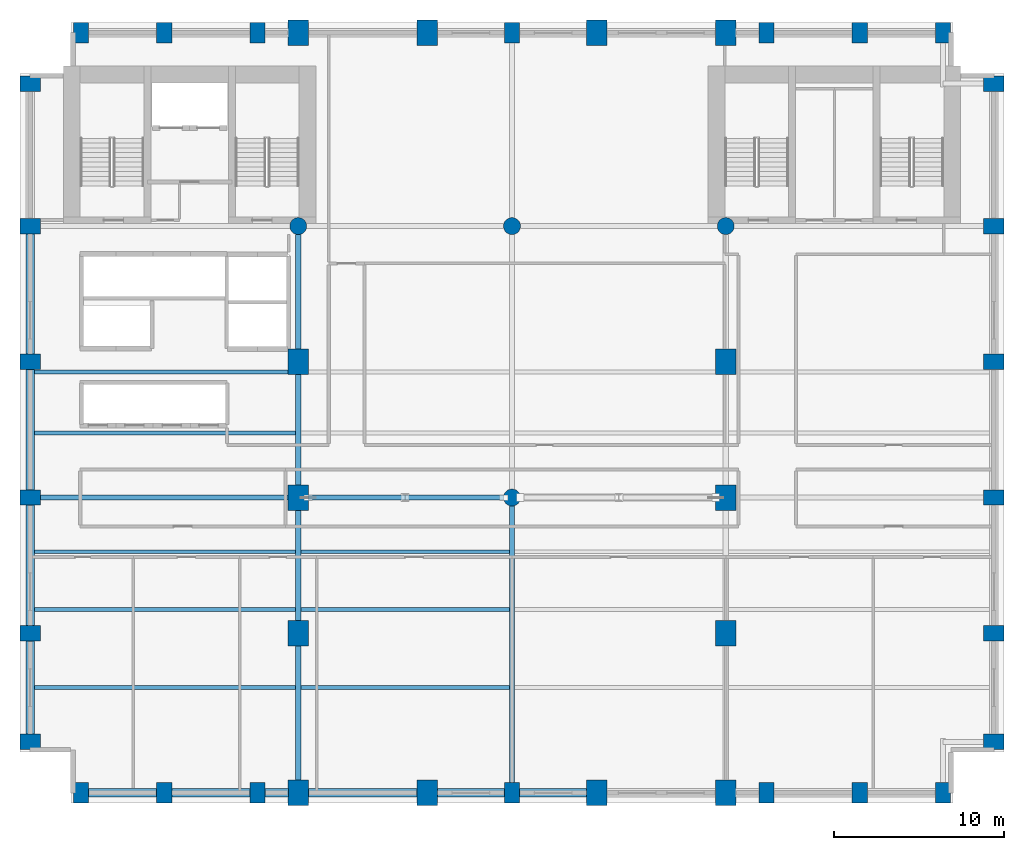
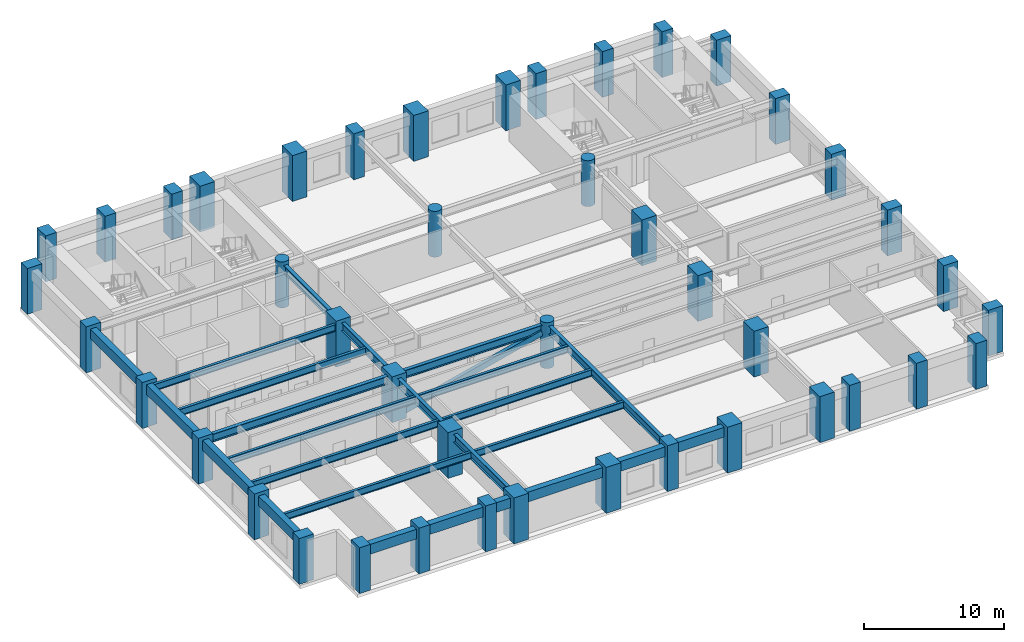
# One storey, part 1 of 10: 44 columns, 23 beams, 1 member.
"""IFC4 building model written with IfcOpenShell, lengths in metres."""

from ifc_helpers import new_model, si_unit, direction, frame, origin, origin_2d, place, context, subcontext, project, spatial, rectangle, hollow_rectangle, circle, i_section, extrude, material, material_profile, profile_set, type_object, element, save


model = new_model("IFC4")

# Units and contexts
model_context = context("Model", 3, precision=1e-05, world=origin(), true_north=direction((0.0, 1.0)))
body_context = subcontext(model_context, "Body", "Model", "MODEL_VIEW")
ifc_project = project(units=[si_unit("LENGTHUNIT", "METRE"), si_unit("AREAUNIT", "SQUARE_METRE"), si_unit("VOLUMEUNIT", "CUBIC_METRE"), si_unit("PLANEANGLEUNIT", "RADIAN"), si_unit("MASSUNIT", "GRAM", prefix="KILO")], contexts=[model_context])

# Site, building, storey
site_placement = place(None, origin())
site = spatial("IfcSite", under=ifc_project, at=site_placement, CompositionType="ELEMENT")
building_placement = place(site_placement, origin())
building = spatial("IfcBuilding", under=site, at=building_placement, Name="Sulina Concourse Tower", CompositionType="ELEMENT")
storey_placement = place(building_placement, frame((0.0, 0.0, 50.60009765625)))
storey = spatial("IfcBuildingStorey", under=building, at=storey_placement, Name="L12", CompositionType="ELEMENT", Elevation=50.60009765625)

# Columns
ifc_material_1 = material(Name="Concrete C60/75", Category="concrete")
ifc_material_profile_1 = material_profile(ifc_material_1, circle(Radius=0.5, at=origin_2d()), Name="RC D1000")
ifc_profile_set_1 = profile_set([ifc_material_profile_1], Name="Concrete C60/75")
column_type_1 = type_object("IfcColumnType", Name="Lower Interior Circular Column D1000", PredefinedType="COLUMN", material=ifc_profile_set_1)
for number, where, z_axis, x_axis, name in (
    (1, (16.39990234375, 34.0, 0.0), (0.0, 0.0, 1.0), (1.0, 0.0, 0.0), "L12 structural column IC-N-164"),
    (2, (29.0, 18.0, 0.0), (0.0, 0.0, 1.0), (1.0, 0.0, 0.0), "L12 structural column IC-M-290"),
    (3, (29.0, 34.0, 0.0), (0.0, 0.0, 1.0), (1.0, 0.0, 0.0), "L12 structural column IC-N-290"),
    (4, (41.60009765625, 34.0, 0.0), (0.0, 0.0, 1.0), (1.0, 0.0, 0.0), "L12 structural column IC-N-416"),
):
    element("IfcColumn", number, at=place(storey_placement, frame(where, z_axis=z_axis, x_axis=x_axis)), inside=storey, type_object=column_type_1, Name=name, PredefinedType="COLUMN", context=body_context, shape_type="SweptSolid", body=[
        extrude(circle(Radius=0.5, at=origin_2d()), origin(), (0.0, 0.0, 1.0), 4.0),
    ])
ifc_material_2 = material(Name="Concrete C80/95", Category="concrete")
ifc_material_profile_2 = material_profile(ifc_material_2, rectangle(XDim=1.199951171875, YDim=1.5, at=origin_2d()), Name="RC 1200x1500")
ifc_profile_set_2 = profile_set([ifc_material_profile_2], Name="Concrete C80/95")
column_type_2 = type_object("IfcColumnType", Name="Lower Portal End-Leg Column 1200x1500", PredefinedType="COLUMN", material=ifc_profile_set_2)
for number, where, z_axis, x_axis, name in (
    (5, (16.39990234375, 0.60009765625, 0.0), (0.0, 0.0, 1.0), (1.0, 0.0, 0.0), "L12 structural column TP-S-164"),
    (6, (16.39990234375, 45.39990234375, 0.0), (0.0, 0.0, 1.0), (1.0, 0.0, 0.0), "L12 structural column TP-N-164"),
    (7, (24.0, 0.60009765625, 0.0), (0.0, 0.0, 1.0), (1.0, 0.0, 0.0), "L12 structural column TP-S-240"),
    (8, (24.0, 45.39990234375, 0.0), (0.0, 0.0, 1.0), (1.0, 0.0, 0.0), "L12 structural column TP-N-240"),
    (9, (34.0, 0.60009765625, 0.0), (0.0, 0.0, 1.0), (1.0, 0.0, 0.0), "L12 structural column TP-S-340"),
    (10, (34.0, 45.39990234375, 0.0), (0.0, 0.0, 1.0), (1.0, 0.0, 0.0), "L12 structural column TP-N-340"),
    (11, (41.60009765625, 0.60009765625, 0.0), (0.0, 0.0, 1.0), (1.0, 0.0, 0.0), "L12 structural column TP-S-416"),
    (12, (41.60009765625, 45.39990234375, 0.0), (0.0, 0.0, 1.0), (1.0, 0.0, 0.0), "L12 structural column TP-N-416"),
    (13, (16.39990234375, 10.0, 0.0), (0.0, 0.0, 1.0), (1.0, 0.0, 0.0), "L12 structural column LP-FW-10"),
    (14, (41.60009765625, 10.0, 0.0), (0.0, 0.0, 1.0), (1.0, 0.0, 0.0), "L12 structural column LP-FE-10"),
    (15, (16.39990234375, 18.0, 0.0), (0.0, 0.0, 1.0), (1.0, 0.0, 0.0), "L12 structural column LP-FW-18"),
    (16, (41.60009765625, 18.0, 0.0), (0.0, 0.0, 1.0), (1.0, 0.0, 0.0), "L12 structural column LP-FE-18"),
    (17, (16.39990234375, 26.0, 0.0), (0.0, 0.0, 1.0), (1.0, 0.0, 0.0), "L12 structural column LP-FW-26"),
    (18, (41.60009765625, 26.0, 0.0), (0.0, 0.0, 1.0), (1.0, 0.0, 0.0), "L12 structural column LP-FE-26"),
):
    element("IfcColumn", number, at=place(storey_placement, frame(where, z_axis=z_axis, x_axis=x_axis)), inside=storey, type_object=column_type_2, Name=name, PredefinedType="COLUMN", context=body_context, shape_type="SweptSolid", body=[
        extrude(rectangle(XDim=1.199951171875, YDim=1.5, at=origin_2d()), origin(), (0.0, 0.0, 1.0), 4.0),
    ])
ifc_material_3 = material(Name="Precast concrete C60/75", Category="concrete")
ifc_material_profile_3 = material_profile(ifc_material_3, rectangle(XDim=0.89990234375, YDim=1.199951171875, at=origin_2d()), Name="PC 900x1200")
ifc_profile_set_3 = profile_set([ifc_material_profile_3], Name="Precast concrete C60/75")
column_type_3 = type_object("IfcColumnType", Name="Precast Tube Pier Zone 1 900x1200", PredefinedType="COLUMN", material=ifc_profile_set_3)
for number, where, z_axis, x_axis, name in (
    (19, (3.60009765625, 0.60009765625, 0.0), (0.0, 0.0, 1.0), (1.0, 0.0, 0.0), "L12 structural column TP-S-36"),
    (20, (3.60009765625, 45.39990234375, 0.0), (0.0, 0.0, 1.0), (1.0, 0.0, 0.0), "L12 structural column TP-N-36"),
    (21, (8.5, 0.60009765625, 0.0), (0.0, 0.0, 1.0), (1.0, 0.0, 0.0), "L12 structural column TP-S-85"),
    (22, (8.5, 45.39990234375, 0.0), (0.0, 0.0, 1.0), (1.0, 0.0, 0.0), "L12 structural column TP-N-85"),
    (23, (14.0, 0.60009765625, 0.0), (0.0, 0.0, 1.0), (1.0, 0.0, 0.0), "L12 structural column TP-S-140"),
    (24, (14.0, 45.39990234375, 0.0), (0.0, 0.0, 1.0), (1.0, 0.0, 0.0), "L12 structural column TP-N-140"),
    (25, (29.0, 0.60009765625, 0.0), (0.0, 0.0, 1.0), (1.0, 0.0, 0.0), "L12 structural column TP-S-290"),
    (26, (29.0, 45.39990234375, 0.0), (0.0, 0.0, 1.0), (1.0, 0.0, 0.0), "L12 structural column TP-N-290"),
    (27, (44.0, 0.60009765625, 0.0), (0.0, 0.0, 1.0), (1.0, 0.0, 0.0), "L12 structural column TP-S-440"),
    (28, (44.0, 45.39990234375, 0.0), (0.0, 0.0, 1.0), (1.0, 0.0, 0.0), "L12 structural column TP-N-440"),
    (29, (49.5, 0.60009765625, 0.0), (0.0, 0.0, 1.0), (1.0, 0.0, 0.0), "L12 structural column TP-S-495"),
    (30, (49.5, 45.39990234375, 0.0), (0.0, 0.0, 1.0), (1.0, 0.0, 0.0), "L12 structural column TP-N-495"),
    (31, (54.39990234375, 0.60009765625, 0.0), (0.0, 0.0, 1.0), (1.0, 0.0, 0.0), "L12 structural column TP-S-544"),
    (32, (54.39990234375, 45.39990234375, 0.0), (0.0, 0.0, 1.0), (1.0, 0.0, 0.0), "L12 structural column TP-N-544"),
    (33, (0.60009765625, 3.60009765625, 0.0), (0.0, 0.0, 1.0), (0.0, 1.0, 0.0), "L12 structural column TP-W-36"),
    (34, (57.39990234375, 3.60009765625, 0.0), (0.0, 0.0, 1.0), (0.0, 1.0, 0.0), "L12 structural column TP-E-36"),
    (35, (0.60009765625, 10.0, 0.0), (0.0, 0.0, 1.0), (0.0, 1.0, 0.0), "L12 structural column TP-W-100"),
    (36, (57.39990234375, 10.0, 0.0), (0.0, 0.0, 1.0), (0.0, 1.0, 0.0), "L12 structural column TP-E-100"),
    (37, (0.60009765625, 18.0, 0.0), (0.0, 0.0, 1.0), (0.0, 1.0, 0.0), "L12 structural column TP-W-180"),
    (38, (57.39990234375, 18.0, 0.0), (0.0, 0.0, 1.0), (0.0, 1.0, 0.0), "L12 structural column TP-E-180"),
    (39, (0.60009765625, 26.0, 0.0), (0.0, 0.0, 1.0), (0.0, 1.0, 0.0), "L12 structural column TP-W-260"),
    (40, (57.39990234375, 26.0, 0.0), (0.0, 0.0, 1.0), (0.0, 1.0, 0.0), "L12 structural column TP-E-260"),
    (41, (0.60009765625, 34.0, 0.0), (0.0, 0.0, 1.0), (0.0, 1.0, 0.0), "L12 structural column TP-W-340"),
    (42, (57.39990234375, 34.0, 0.0), (0.0, 0.0, 1.0), (0.0, 1.0, 0.0), "L12 structural column TP-E-340"),
    (43, (0.60009765625, 42.39990234375, 0.0), (0.0, 0.0, 1.0), (0.0, 1.0, 0.0), "L12 structural column TP-W-424"),
    (44, (57.39990234375, 42.39990234375, 0.0), (0.0, 0.0, 1.0), (0.0, 1.0, 0.0), "L12 structural column TP-E-424"),
):
    element("IfcColumn", number, at=place(storey_placement, frame(where, z_axis=z_axis, x_axis=x_axis)), inside=storey, type_object=column_type_3, Name=name, PredefinedType="COLUMN", context=body_context, shape_type="SweptSolid", body=[
        extrude(rectangle(XDim=0.89990234375, YDim=1.199951171875, at=origin_2d()), origin(), (0.0, 0.0, 1.0), 4.0),
    ])

# Beams
ifc_material_4 = material(Name="Steel S355", Category="steel")
ifc_material_profile_4 = material_profile(ifc_material_4, i_section(OverallWidth=0.219970703125, OverallDepth=0.60009765625, WebThickness=0.011962890625, FlangeThickness=0.01904296875, at=origin_2d()), Name="IPE 600")
ifc_profile_set_4 = profile_set([ifc_material_profile_4], Name="Steel S355")
beam_type_1 = type_object("IfcBeamType", Name="Composite Floor Joist IPE600", PredefinedType="JOIST", material=ifc_profile_set_4)
beam_1_placement = place(storey_placement, frame((0.85009765625, 6.800048828125, 3.39990234375), z_axis=(1.0, 0.0, 0.0), x_axis=(0.0, 1.0, 0.0)))
element("IfcBeam", 45, at=beam_1_placement, inside=storey, type_object=beam_type_1, Name="FJ-J06-1-L12", PredefinedType="JOIST", context=body_context, shape_type="SweptSolid", body=[
    extrude(i_section(OverallWidth=0.219970703125, OverallDepth=0.60009765625, WebThickness=0.011962890625, FlangeThickness=0.01904296875, at=origin_2d()), origin(), (0.0, 0.0, 1.0), 15.39990234375),
])
beam_2_placement = place(storey_placement, frame((16.550048828125, 6.800048828125, 3.39990234375), z_axis=(1.0, 0.0, 0.0), x_axis=(0.0, 1.0, 0.0)))
element("IfcBeam", 46, at=beam_2_placement, inside=storey, type_object=beam_type_1, Name="FJ-J06-2-L12", PredefinedType="JOIST", context=body_context, shape_type="SweptSolid", body=[
    extrude(i_section(OverallWidth=0.219970703125, OverallDepth=0.60009765625, WebThickness=0.011962890625, FlangeThickness=0.01904296875, at=origin_2d()), origin(), (0.0, 0.0, 1.0), 12.300048828125),
])
beam_3_placement = place(storey_placement, frame((0.85009765625, 11.39990234375, 3.39990234375), z_axis=(1.0, 0.0, 0.0), x_axis=(0.0, 1.0, 0.0)))
element("IfcBeam", 47, at=beam_3_placement, inside=storey, type_object=beam_type_1, Name="FJ-J11-1-L12", PredefinedType="JOIST", context=body_context, shape_type="SweptSolid", body=[
    extrude(i_section(OverallWidth=0.219970703125, OverallDepth=0.60009765625, WebThickness=0.011962890625, FlangeThickness=0.01904296875, at=origin_2d()), origin(), (0.0, 0.0, 1.0), 15.39990234375),
])
beam_4_placement = place(storey_placement, frame((16.550048828125, 11.39990234375, 3.39990234375), z_axis=(1.0, 0.0, 0.0), x_axis=(0.0, 1.0, 0.0)))
element("IfcBeam", 48, at=beam_4_placement, inside=storey, type_object=beam_type_1, Name="FJ-J11-2-L12", PredefinedType="JOIST", context=body_context, shape_type="SweptSolid", body=[
    extrude(i_section(OverallWidth=0.219970703125, OverallDepth=0.60009765625, WebThickness=0.011962890625, FlangeThickness=0.01904296875, at=origin_2d()), origin(), (0.0, 0.0, 1.0), 12.300048828125),
])
beam_5_placement = place(storey_placement, frame((0.85009765625, 14.800048828125, 3.39990234375), z_axis=(1.0, 0.0, 0.0), x_axis=(0.0, 1.0, 0.0)))
element("IfcBeam", 49, at=beam_5_placement, inside=storey, type_object=beam_type_1, Name="FJ-J15-1-L12", PredefinedType="JOIST", context=body_context, shape_type="SweptSolid", body=[
    extrude(i_section(OverallWidth=0.219970703125, OverallDepth=0.60009765625, WebThickness=0.011962890625, FlangeThickness=0.01904296875, at=origin_2d()), origin(), (0.0, 0.0, 1.0), 15.39990234375),
])
beam_6_placement = place(storey_placement, frame((16.550048828125, 14.800048828125, 3.39990234375), z_axis=(1.0, 0.0, 0.0), x_axis=(0.0, 1.0, 0.0)))
element("IfcBeam", 50, at=beam_6_placement, inside=storey, type_object=beam_type_1, Name="FJ-J15-2-L12", PredefinedType="JOIST", context=body_context, shape_type="SweptSolid", body=[
    extrude(i_section(OverallWidth=0.219970703125, OverallDepth=0.60009765625, WebThickness=0.011962890625, FlangeThickness=0.01904296875, at=origin_2d()), origin(), (0.0, 0.0, 1.0), 12.300048828125),
])
for number, where, z_axis, x_axis, name in (
    (51, (0.85009765625, 21.800048828125, 3.39990234375), (1.0, 0.0, 0.0), (0.0, 1.0, 0.0), "FJ-J22-1-L12"),
    (52, (0.85009765625, 25.39990234375, 3.39990234375), (1.0, 0.0, 0.0), (0.0, 1.0, 0.0), "FJ-J25-1-L12"),
):
    element("IfcBeam", number, at=place(storey_placement, frame(where, z_axis=z_axis, x_axis=x_axis)), inside=storey, type_object=beam_type_1, Name=name, PredefinedType="JOIST", context=body_context, shape_type="SweptSolid", body=[
        extrude(i_section(OverallWidth=0.219970703125, OverallDepth=0.60009765625, WebThickness=0.011962890625, FlangeThickness=0.01904296875, at=origin_2d()), origin(), (0.0, 0.0, 1.0), 15.39990234375),
    ])
ifc_material_5 = material(Name="Steel S355", Category="steel")
ifc_material_profile_5 = material_profile(ifc_material_5, i_section(OverallWidth=0.300048828125, OverallDepth=0.699951171875, WebThickness=0.01708984375, FlangeThickness=0.031982421875, at=origin_2d()), Name="HE 700 B")
ifc_profile_set_5 = profile_set([ifc_material_profile_5], Name="Steel S355")
beam_type_2 = type_object("IfcBeamType", Name="Floor Primary Girder Zone 1 HE700B", PredefinedType="BEAM", material=ifc_profile_set_5)
beam_7_placement = place(storey_placement, frame((1.030029296875, 18.0, 3.349853515625), z_axis=(1.0, 0.0, 0.0), x_axis=(0.0, 1.0, 0.0)))
element("IfcBeam", 53, at=beam_7_placement, inside=storey, type_object=beam_type_2, Name="FG-EW1-L12", PredefinedType="BEAM", context=body_context, shape_type="SweptSolid", body=[
    extrude(i_section(OverallWidth=0.300048828125, OverallDepth=0.699951171875, WebThickness=0.01708984375, FlangeThickness=0.031982421875, at=origin_2d()), origin(), (0.0, 0.0, 1.0), 14.7900390625),
])
beam_8_placement = place(storey_placement, frame((16.97998046875, 18.0, 3.349853515625), z_axis=(1.0, 0.0, 0.0), x_axis=(0.0, 1.0, 0.0)))
element("IfcBeam", 54, at=beam_8_placement, inside=storey, type_object=beam_type_2, Name="FG-EW2-L12", PredefinedType="BEAM", context=body_context, shape_type="SweptSolid", body=[
    extrude(i_section(OverallWidth=0.300048828125, OverallDepth=0.699951171875, WebThickness=0.01708984375, FlangeThickness=0.031982421875, at=origin_2d()), origin(), (0.0, 0.0, 1.0), 11.5400390625),
])
beam_9_placement = place(storey_placement, frame((16.39990234375, 1.179931640625, 3.349853515625), z_axis=(0.0, 1.0, 0.0), x_axis=(-1.0, 0.0, 0.0)))
element("IfcBeam", 55, at=beam_9_placement, inside=storey, type_object=beam_type_2, Name="FG-NSA-16-L12", PredefinedType="BEAM", context=body_context, shape_type="SweptSolid", body=[
    extrude(i_section(OverallWidth=0.300048828125, OverallDepth=0.699951171875, WebThickness=0.01708984375, FlangeThickness=0.031982421875, at=origin_2d()), origin(), (0.0, 0.0, 1.0), 16.239990234375),
])
beam_10_placement = place(storey_placement, frame((16.39990234375, 18.580078125, 3.349853515625), z_axis=(0.0, 1.0, 0.0), x_axis=(-1.0, 0.0, 0.0)))
element("IfcBeam", 56, at=beam_10_placement, inside=storey, type_object=beam_type_2, Name="FG-NSB-16-L12", PredefinedType="BEAM", context=body_context, shape_type="SweptSolid", body=[
    extrude(i_section(OverallWidth=0.300048828125, OverallDepth=0.699951171875, WebThickness=0.01708984375, FlangeThickness=0.031982421875, at=origin_2d()), origin(), (0.0, 0.0, 1.0), 14.93994140625),
])
beam_11_placement = place(storey_placement, frame((29.0, 1.030029296875, 3.349853515625), z_axis=(0.0, 1.0, 0.0), x_axis=(-1.0, 0.0, 0.0)))
element("IfcBeam", 57, at=beam_11_placement, inside=storey, type_object=beam_type_2, Name="FG-NSA-29-L12", PredefinedType="BEAM", context=body_context, shape_type="SweptSolid", body=[
    extrude(i_section(OverallWidth=0.300048828125, OverallDepth=0.699951171875, WebThickness=0.01708984375, FlangeThickness=0.031982421875, at=origin_2d()), origin(), (0.0, 0.0, 1.0), 16.489990234375),
])

# Member
ifc_material_6 = material(Name="Steel S355", Category="steel")
ifc_material_profile_6 = material_profile(ifc_material_6, hollow_rectangle(XDim=0.300048828125, YDim=0.5, WallThickness=0.02001953125, at=origin_2d()), Name="RHS 500x300x20")
ifc_profile_set_6 = profile_set([ifc_material_profile_6], Name="Steel S355")
member_type = type_object("IfcMemberType", Name="Lower Portal Bridge Diagonal RHS500x300x20", PredefinedType="BRACE", material=ifc_profile_set_6)
member_placement = place(storey_placement, frame((16.989990234375, 18.0, 0.119873046875), z_axis=(0.969941447513, 0.0, 0.243338423593), x_axis=(0.0, 1.0, 0.0)))
element("IfcMember", 58, at=member_placement, inside=storey, type_object=member_type, Name="LBT-DG-1-L12", PredefinedType="BRACE", context=body_context, shape_type="SweptSolid", body=[
    extrude(hollow_rectangle(XDim=0.300048828125, YDim=0.5, WallThickness=0.02001953125, at=origin_2d()), origin(), (0.0, 0.0, 1.0), 11.876953125),
])

# Beams
ifc_material_7 = material(Name="Precast concrete C50/60", Category="concrete")
ifc_material_profile_7 = material_profile(ifc_material_7, rectangle(XDim=0.5, YDim=0.85009765625, at=origin_2d()), Name="RC 500x850")
ifc_profile_set_7 = profile_set([ifc_material_profile_7], Name="Precast concrete C50/60")
beam_type_3 = type_object("IfcBeamType", Name="Lower Precast Spandrel Edge Beam 500x850", PredefinedType="BEAM", material=ifc_profile_set_7)
beam_12_placement = place(storey_placement, frame((4.030029296875, 0.60009765625, 3.27490234375), z_axis=(1.0, 0.0, 0.0), x_axis=(0.0, 1.0, 0.0)))
element("IfcBeam", 59, at=beam_12_placement, inside=storey, type_object=beam_type_3, Name="SP-S1-L12", PredefinedType="BEAM", context=body_context, shape_type="SweptSolid", body=[
    extrude(rectangle(XDim=0.5, YDim=0.85009765625, at=origin_2d()), origin(), (0.0, 0.0, 1.0), 4.0400390625),
])
beam_13_placement = place(storey_placement, frame((8.929931640625, 0.60009765625, 3.27490234375), z_axis=(1.0, 0.0, 0.0), x_axis=(0.0, 1.0, 0.0)))
element("IfcBeam", 60, at=beam_13_placement, inside=storey, type_object=beam_type_3, Name="SP-S2-L12", PredefinedType="BEAM", context=body_context, shape_type="SweptSolid", body=[
    extrude(rectangle(XDim=0.5, YDim=0.85009765625, at=origin_2d()), origin(), (0.0, 0.0, 1.0), 4.64013671875),
])
beam_14_placement = place(storey_placement, frame((14.429931640625, 0.60009765625, 3.27490234375), z_axis=(1.0, 0.0, 0.0), x_axis=(0.0, 1.0, 0.0)))
element("IfcBeam", 61, at=beam_14_placement, inside=storey, type_object=beam_type_3, Name="SP-S3-L12", PredefinedType="BEAM", context=body_context, shape_type="SweptSolid", body=[
    extrude(rectangle(XDim=0.5, YDim=0.85009765625, at=origin_2d()), origin(), (0.0, 0.0, 1.0), 1.39013671875),
])
beam_15_placement = place(storey_placement, frame((16.97998046875, 0.60009765625, 3.27490234375), z_axis=(1.0, 0.0, 0.0), x_axis=(0.0, 1.0, 0.0)))
element("IfcBeam", 62, at=beam_15_placement, inside=storey, type_object=beam_type_3, Name="SP-S4-L12", PredefinedType="BEAM", context=body_context, shape_type="SweptSolid", body=[
    extrude(rectangle(XDim=0.5, YDim=0.85009765625, at=origin_2d()), origin(), (0.0, 0.0, 1.0), 6.43994140625),
])
for number, where, z_axis, x_axis, name in (
    (63, (24.580078125, 0.60009765625, 3.27490234375), (1.0, 0.0, 0.0), (0.0, 1.0, 0.0), "SP-S5-L12"),
    (64, (29.429931640625, 0.60009765625, 3.27490234375), (1.0, 0.0, 0.0), (0.0, 1.0, 0.0), "SP-S6-L12"),
):
    element("IfcBeam", number, at=place(storey_placement, frame(where, z_axis=z_axis, x_axis=x_axis)), inside=storey, type_object=beam_type_3, Name=name, PredefinedType="BEAM", context=body_context, shape_type="SweptSolid", body=[
        extrude(rectangle(XDim=0.5, YDim=0.85009765625, at=origin_2d()), origin(), (0.0, 0.0, 1.0), 3.989990234375),
    ])
beam_16_placement = place(storey_placement, frame((0.60009765625, 4.030029296875, 3.27490234375), z_axis=(0.0, 1.0, 0.0), x_axis=(-1.0, 0.0, 0.0)))
element("IfcBeam", 65, at=beam_16_placement, inside=storey, type_object=beam_type_3, Name="SP-W1-L12", PredefinedType="BEAM", context=body_context, shape_type="SweptSolid", body=[
    extrude(rectangle(XDim=0.5, YDim=0.85009765625, at=origin_2d()), origin(), (0.0, 0.0, 1.0), 5.5400390625),
])
for number, where, z_axis, x_axis, name in (
    (66, (0.60009765625, 10.429931640625, 3.27490234375), (0.0, 1.0, 0.0), (-1.0, 0.0, 0.0), "SP-W2-L12"),
    (67, (0.60009765625, 18.429931640625, 3.27490234375), (0.0, 1.0, 0.0), (-1.0, 0.0, 0.0), "SP-W3-L12"),
    (68, (0.60009765625, 26.429931640625, 3.27490234375), (0.0, 1.0, 0.0), (-1.0, 0.0, 0.0), "SP-W4-L12"),
):
    element("IfcBeam", number, at=place(storey_placement, frame(where, z_axis=z_axis, x_axis=x_axis)), inside=storey, type_object=beam_type_3, Name=name, PredefinedType="BEAM", context=body_context, shape_type="SweptSolid", body=[
        extrude(rectangle(XDim=0.5, YDim=0.85009765625, at=origin_2d()), origin(), (0.0, 0.0, 1.0), 7.14013671875),
    ])

save(model, "model.ifc")
